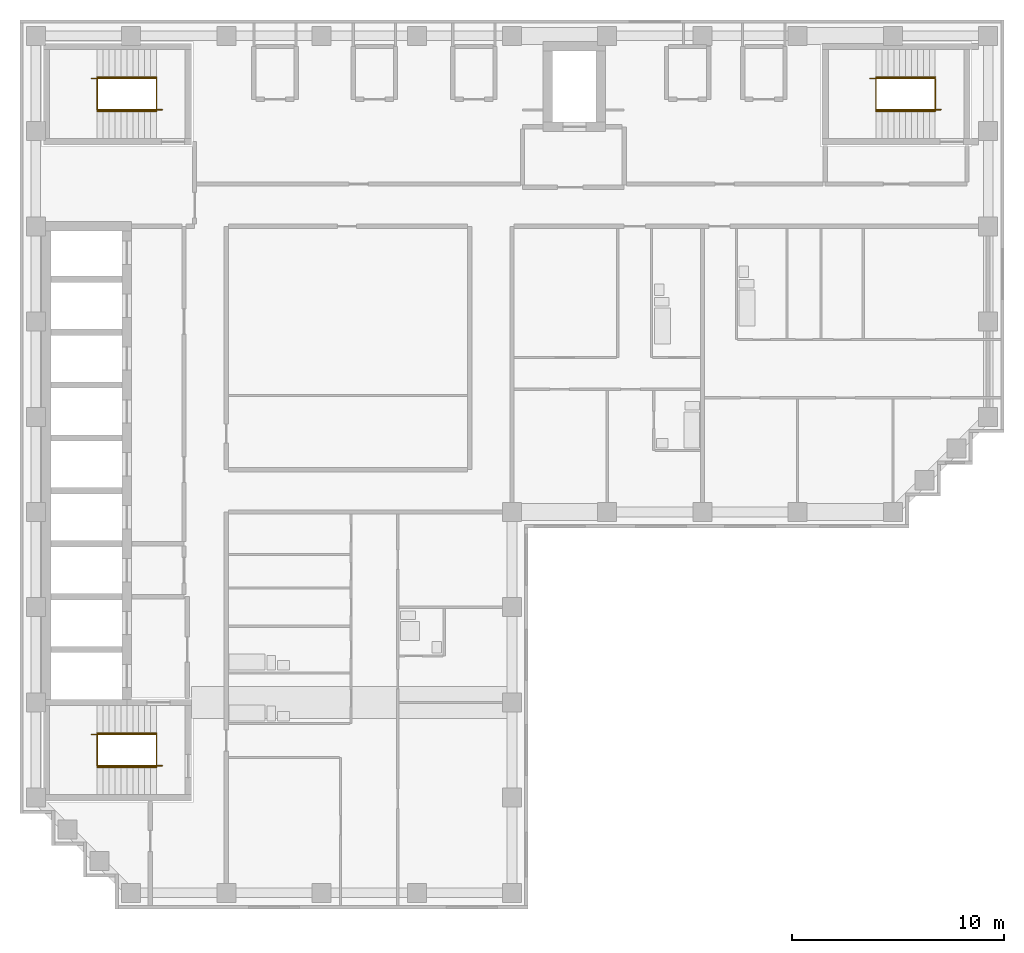
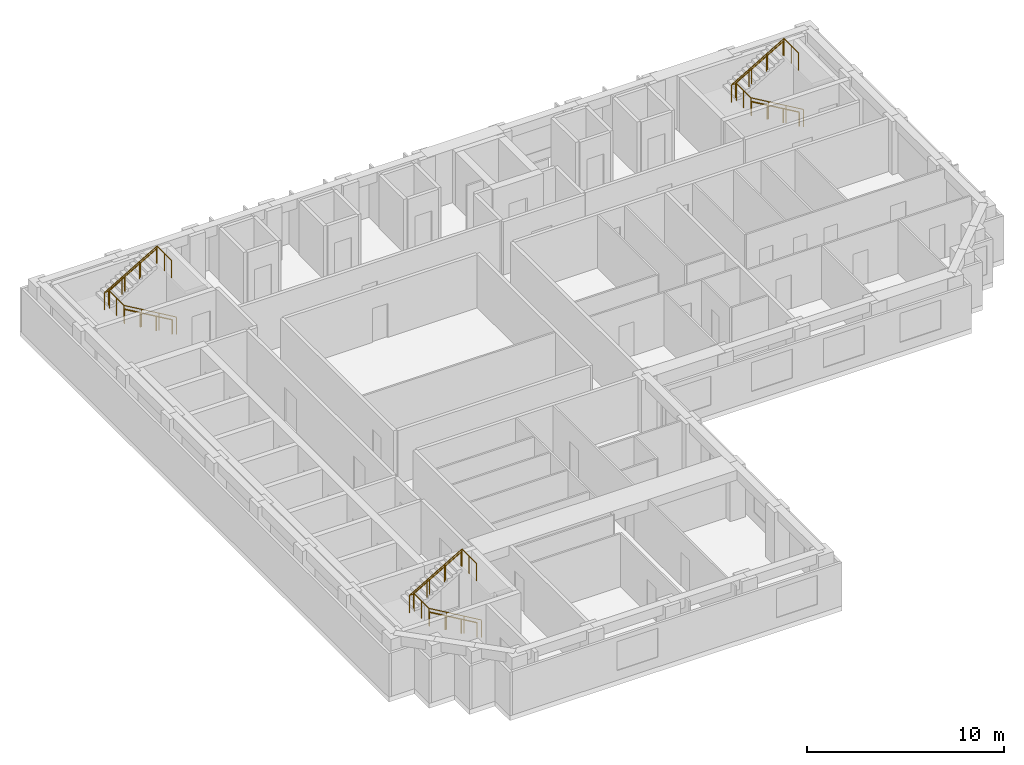
# One storey, part 7 of 8: 9 railings.
"""IFC4 building model written with IfcOpenShell, lengths in metres."""

from ifc_helpers import new_model, si_unit, direction, frame, origin, origin_2d, place, context, subcontext, project, spatial, circle, extrude, material, type_object, element, save


model = new_model("IFC4")

# Units and contexts
model_context = context("Model", 3, precision=1e-05, world=origin(), true_north=direction((0.0, 1.0)))
body_context = subcontext(model_context, "Body", "Model", "MODEL_VIEW")
ifc_project = project(units=[si_unit("LENGTHUNIT", "METRE"), si_unit("AREAUNIT", "SQUARE_METRE"), si_unit("VOLUMEUNIT", "CUBIC_METRE"), si_unit("PLANEANGLEUNIT", "RADIAN"), si_unit("MASSUNIT", "GRAM", prefix="KILO")], contexts=[model_context])

# Site, building, storey
site_placement = place(None, origin())
site = spatial("IfcSite", under=ifc_project, at=site_placement, CompositionType="ELEMENT")
building_placement = place(site_placement, origin())
building = spatial("IfcBuilding", under=site, at=building_placement, Name="Firuza Court", CompositionType="ELEMENT")
storey_placement = place(building_placement, frame((0.0, 0.0, 236.60009765625)))
storey = spatial("IfcBuildingStorey", under=building, at=storey_placement, Name="L61", CompositionType="ELEMENT", Elevation=236.60009765625)

# Railings
ifc_material_1 = material(Name="Steel S355", Category="steel")
railing_type_1 = type_object("IfcRailingType", Name="Handrail 900", PredefinedType="HANDRAIL", material=ifc_material_1)
railing_1_placement = place(storey_placement, frame((42.5, 54.949951171875, 0.16357421875)))
element("IfcRailing", 1, at=railing_1_placement, inside=storey, type_object=railing_type_1, Name="Handrail S1 flight 1", PredefinedType="HANDRAIL", context=body_context, shape_type="SweptSolid", body=[
    extrude(circle(Radius=0.02490234375, at=origin_2d()), frame((0.0, 0.0, 0.875), z_axis=(-0.863393664356, 0.0, 0.504530851732), x_axis=(0.0, -1.0, 0.0)), (0.0, 0.0, 1.0), 3.2431640625),
    extrude(circle(Radius=0.02001953125, at=origin_2d()), origin(), (0.0, 0.0, 1.0), 0.849853515625),
    extrude(circle(Radius=0.02001953125, at=origin_2d()), frame((-0.933349609375, 0.0, 0.54541015625)), (0.0, 0.0, 1.0), 0.849853515625),
    extrude(circle(Radius=0.02001953125, at=origin_2d()), frame((-1.86669921875, 0.0, 1.0908203125)), (0.0, 0.0, 1.0), 0.849853515625),
    extrude(circle(Radius=0.02001953125, at=origin_2d()), frame((-2.800048828125, 0.0, 1.63623046875)), (0.0, 0.0, 1.0), 0.849853515625),
])
railing_2_placement = place(storey_placement, frame((39.699951171875, 56.550048828125, 1.963623046875)))
element("IfcRailing", 2, at=railing_2_placement, inside=storey, type_object=railing_type_1, Name="Handrail S1 flight 2", PredefinedType="HANDRAIL", context=body_context, shape_type="SweptSolid", body=[
    extrude(circle(Radius=0.02490234375, at=origin_2d()), frame((0.0, 0.0, 0.875), z_axis=(0.863393664356, 0.0, 0.504530851732), x_axis=(0.0, 1.0, 0.0)), (0.0, 0.0, 1.0), 3.2431640625),
    extrude(circle(Radius=0.02001953125, at=origin_2d()), origin(), (0.0, 0.0, 1.0), 0.849853515625),
    extrude(circle(Radius=0.02001953125, at=origin_2d()), frame((0.933349609375, 0.0, 0.54541015625)), (0.0, 0.0, 1.0), 0.849853515625),
    extrude(circle(Radius=0.02001953125, at=origin_2d()), frame((1.86669921875, 0.0, 1.0908203125)), (0.0, 0.0, 1.0), 0.849853515625),
    extrude(circle(Radius=0.02001953125, at=origin_2d()), frame((2.800048828125, 0.0, 1.63623046875)), (0.0, 0.0, 1.0), 0.849853515625),
])
railing_3_placement = place(storey_placement, frame((5.699951171875, 23.949951171875, 0.16357421875)))
element("IfcRailing", 3, at=railing_3_placement, inside=storey, type_object=railing_type_1, Name="Handrail S2 flight 1", PredefinedType="HANDRAIL", context=body_context, shape_type="SweptSolid", body=[
    extrude(circle(Radius=0.02490234375, at=origin_2d()), frame((0.0, 0.0, 0.875), z_axis=(-0.863393664356, 0.0, 0.504530851732), x_axis=(0.0, -1.0, 0.0)), (0.0, 0.0, 1.0), 3.2431640625),
    extrude(circle(Radius=0.02001953125, at=origin_2d()), origin(), (0.0, 0.0, 1.0), 0.849853515625),
    extrude(circle(Radius=0.02001953125, at=origin_2d()), frame((-0.933349609375, 0.0, 0.54541015625)), (0.0, 0.0, 1.0), 0.849853515625),
    extrude(circle(Radius=0.02001953125, at=origin_2d()), frame((-1.86669921875, 0.0, 1.0908203125)), (0.0, 0.0, 1.0), 0.849853515625),
    extrude(circle(Radius=0.02001953125, at=origin_2d()), frame((-2.800048828125, 0.0, 1.63623046875)), (0.0, 0.0, 1.0), 0.849853515625),
])
railing_4_placement = place(storey_placement, frame((2.89990234375, 25.550048828125, 1.963623046875)))
element("IfcRailing", 4, at=railing_4_placement, inside=storey, type_object=railing_type_1, Name="Handrail S2 flight 2", PredefinedType="HANDRAIL", context=body_context, shape_type="SweptSolid", body=[
    extrude(circle(Radius=0.02490234375, at=origin_2d()), frame((0.0, 0.0, 0.875), z_axis=(0.863393664356, 0.0, 0.504530851732), x_axis=(0.0, 1.0, 0.0)), (0.0, 0.0, 1.0), 3.2431640625),
    extrude(circle(Radius=0.02001953125, at=origin_2d()), origin(), (0.0, 0.0, 1.0), 0.849853515625),
    extrude(circle(Radius=0.02001953125, at=origin_2d()), frame((0.933349609375, 0.0, 0.54541015625)), (0.0, 0.0, 1.0), 0.849853515625),
    extrude(circle(Radius=0.02001953125, at=origin_2d()), frame((1.86669921875, 0.0, 1.0908203125)), (0.0, 0.0, 1.0), 0.849853515625),
    extrude(circle(Radius=0.02001953125, at=origin_2d()), frame((2.800048828125, 0.0, 1.63623046875)), (0.0, 0.0, 1.0), 0.849853515625),
])
railing_5_placement = place(storey_placement, frame((5.699951171875, 54.949951171875, 0.16357421875)))
element("IfcRailing", 5, at=railing_5_placement, inside=storey, type_object=railing_type_1, Name="Handrail S3 flight 1", PredefinedType="HANDRAIL", context=body_context, shape_type="SweptSolid", body=[
    extrude(circle(Radius=0.02490234375, at=origin_2d()), frame((0.0, 0.0, 0.875), z_axis=(-0.863393664356, 0.0, 0.504530851732), x_axis=(0.0, -1.0, 0.0)), (0.0, 0.0, 1.0), 3.2431640625),
    extrude(circle(Radius=0.02001953125, at=origin_2d()), origin(), (0.0, 0.0, 1.0), 0.849853515625),
    extrude(circle(Radius=0.02001953125, at=origin_2d()), frame((-0.933349609375, 0.0, 0.54541015625)), (0.0, 0.0, 1.0), 0.849853515625),
    extrude(circle(Radius=0.02001953125, at=origin_2d()), frame((-1.86669921875, 0.0, 1.0908203125)), (0.0, 0.0, 1.0), 0.849853515625),
    extrude(circle(Radius=0.02001953125, at=origin_2d()), frame((-2.800048828125, 0.0, 1.63623046875)), (0.0, 0.0, 1.0), 0.849853515625),
])
railing_6_placement = place(storey_placement, frame((2.89990234375, 56.550048828125, 1.963623046875)))
element("IfcRailing", 6, at=railing_6_placement, inside=storey, type_object=railing_type_1, Name="Handrail S3 flight 2", PredefinedType="HANDRAIL", context=body_context, shape_type="SweptSolid", body=[
    extrude(circle(Radius=0.02490234375, at=origin_2d()), frame((0.0, 0.0, 0.875), z_axis=(0.863393664356, 0.0, 0.504530851732), x_axis=(0.0, 1.0, 0.0)), (0.0, 0.0, 1.0), 3.2431640625),
    extrude(circle(Radius=0.02001953125, at=origin_2d()), origin(), (0.0, 0.0, 1.0), 0.849853515625),
    extrude(circle(Radius=0.02001953125, at=origin_2d()), frame((0.933349609375, 0.0, 0.54541015625)), (0.0, 0.0, 1.0), 0.849853515625),
    extrude(circle(Radius=0.02001953125, at=origin_2d()), frame((1.86669921875, 0.0, 1.0908203125)), (0.0, 0.0, 1.0), 0.849853515625),
    extrude(circle(Radius=0.02001953125, at=origin_2d()), frame((2.800048828125, 0.0, 1.63623046875)), (0.0, 0.0, 1.0), 0.849853515625),
])
ifc_material_2 = material(Name="Steel S355", Category="steel")
railing_type_2 = type_object("IfcRailingType", Name="Stair guard 1100", PredefinedType="GUARDRAIL", material=ifc_material_2)
railing_7_placement = place(storey_placement, frame((42.780029296875, 55.010009765625, 0.0)))
element("IfcRailing", 7, at=railing_7_placement, inside=storey, type_object=railing_type_2, Name="Stair well guard S1", PredefinedType="GUARDRAIL", context=body_context, shape_type="SweptSolid", body=[
    extrude(circle(Radius=0.02490234375, at=origin_2d()), frame((0.0, 0.0, 1.0751953125), z_axis=(-0.863401368682, 0.0, 0.504517667242), x_axis=(0.0, -1.0, 0.0)), (0.0, 0.0, 1.0), 3.5673828125),
    extrude(circle(Radius=0.02490234375, at=origin_2d()), frame((-3.080078125, 0.0, 2.875), z_axis=(0.0, 1.0, 0.0), x_axis=(-1.0, 0.0, 0.0)), (0.0, 0.0, 1.0), 1.47998046875),
    extrude(circle(Radius=0.02490234375, at=origin_2d()), frame((-3.080078125, 1.47998046875, 2.875), z_axis=(-1.0, 0.0, 0.0), x_axis=(0.0, -1.0, 0.0)), (0.0, 0.0, 1.0), 0.280029296875),
    extrude(circle(Radius=0.02490234375, at=origin_2d()), frame((-3.360107421875, 1.47998046875, 2.875), z_axis=(0.863371556955, 0.0, 0.504568681787), x_axis=(0.0, 1.0, 0.0)), (0.0, 0.0, 1.0), 3.5673828125),
    extrude(circle(Radius=0.02490234375, at=origin_2d()), frame((-0.280029296875, 1.47998046875, 4.6748046875), z_axis=(0.0, -1.0, 0.0), x_axis=(1.0, 0.0, 0.0)), (0.0, 0.0, 1.0), 1.47998046875),
    extrude(circle(Radius=0.02490234375, at=origin_2d()), origin(), (0.0, 0.0, 1.0), 1.050048828125),
    extrude(circle(Radius=0.02490234375, at=origin_2d()), frame((-1.026611328125, 0.0, 0.599853515625)), (0.0, 0.0, 1.0), 1.050048828125),
    extrude(circle(Radius=0.02490234375, at=origin_2d()), frame((-2.053466796875, 0.0, 1.199951171875)), (0.0, 0.0, 1.0), 1.050048828125),
    extrude(circle(Radius=0.02490234375, at=origin_2d()), frame((-3.080078125, 0.0, 1.7998046875)), (0.0, 0.0, 1.0), 1.050048828125),
    extrude(circle(Radius=0.02490234375, at=origin_2d()), frame((-3.080078125, 0.739990234375, 1.7998046875)), (0.0, 0.0, 1.0), 1.050048828125),
    extrude(circle(Radius=0.02490234375, at=origin_2d()), frame((-3.080078125, 1.47998046875, 1.7998046875)), (0.0, 0.0, 1.0), 1.050048828125),
    extrude(circle(Radius=0.02490234375, at=origin_2d()), frame((-3.360107421875, 1.47998046875, 1.7998046875)), (0.0, 0.0, 1.0), 1.050048828125),
    extrude(circle(Radius=0.02490234375, at=origin_2d()), frame((-2.33349609375, 1.47998046875, 2.39990234375)), (0.0, 0.0, 1.0), 1.050048828125),
    extrude(circle(Radius=0.02490234375, at=origin_2d()), frame((-1.306640625, 1.47998046875, 2.999755859375)), (0.0, 0.0, 1.0), 1.050048828125),
    extrude(circle(Radius=0.02490234375, at=origin_2d()), frame((-0.280029296875, 1.47998046875, 3.599853515625)), (0.0, 0.0, 1.0), 1.050048828125),
    extrude(circle(Radius=0.02490234375, at=origin_2d()), frame((-0.280029296875, 0.739990234375, 3.599853515625)), (0.0, 0.0, 1.0), 1.050048828125),
    extrude(circle(Radius=0.02490234375, at=origin_2d()), frame((-0.280029296875, 0.0, 3.599853515625)), (0.0, 0.0, 1.0), 1.050048828125),
])
railing_8_placement = place(storey_placement, frame((5.97998046875, 24.010009765625, 0.0)))
element("IfcRailing", 8, at=railing_8_placement, inside=storey, type_object=railing_type_2, Name="Stair well guard S2", PredefinedType="GUARDRAIL", context=body_context, shape_type="SweptSolid", body=[
    extrude(circle(Radius=0.02490234375, at=origin_2d()), frame((0.0, 0.0, 1.0751953125), z_axis=(-0.863401368682, 0.0, 0.504517667242), x_axis=(0.0, -1.0, 0.0)), (0.0, 0.0, 1.0), 3.5673828125),
    extrude(circle(Radius=0.02490234375, at=origin_2d()), frame((-3.080078125, 0.0, 2.875), z_axis=(0.0, 1.0, 0.0), x_axis=(-1.0, 0.0, 0.0)), (0.0, 0.0, 1.0), 1.47998046875),
    extrude(circle(Radius=0.02490234375, at=origin_2d()), frame((-3.080078125, 1.47998046875, 2.875), z_axis=(-1.0, 0.0, 0.0), x_axis=(0.0, -1.0, 0.0)), (0.0, 0.0, 1.0), 0.27978515625),
    extrude(circle(Radius=0.02490234375, at=origin_2d()), frame((-3.35986328125, 1.47998046875, 2.875), z_axis=(0.863354132664, 0.0, 0.504598495452), x_axis=(0.0, 1.0, 0.0)), (0.0, 0.0, 1.0), 3.5673828125),
    extrude(circle(Radius=0.02490234375, at=origin_2d()), frame((-0.280029296875, 1.47998046875, 4.6748046875), z_axis=(0.0, -1.0, 0.0), x_axis=(1.0, 0.0, 0.0)), (0.0, 0.0, 1.0), 1.47998046875),
    extrude(circle(Radius=0.02490234375, at=origin_2d()), origin(), (0.0, 0.0, 1.0), 1.050048828125),
    extrude(circle(Radius=0.02490234375, at=origin_2d()), frame((-1.026611328125, 0.0, 0.599853515625)), (0.0, 0.0, 1.0), 1.050048828125),
    extrude(circle(Radius=0.02490234375, at=origin_2d()), frame((-2.053466796875, 0.0, 1.199951171875)), (0.0, 0.0, 1.0), 1.050048828125),
    extrude(circle(Radius=0.02490234375, at=origin_2d()), frame((-3.080078125, 0.0, 1.7998046875)), (0.0, 0.0, 1.0), 1.050048828125),
    extrude(circle(Radius=0.02490234375, at=origin_2d()), frame((-3.080078125, 0.739990234375, 1.7998046875)), (0.0, 0.0, 1.0), 1.050048828125),
    extrude(circle(Radius=0.02490234375, at=origin_2d()), frame((-3.080078125, 1.47998046875, 1.7998046875)), (0.0, 0.0, 1.0), 1.050048828125),
    extrude(circle(Radius=0.02490234375, at=origin_2d()), frame((-3.35986328125, 1.47998046875, 1.7998046875)), (0.0, 0.0, 1.0), 1.050048828125),
    extrude(circle(Radius=0.02490234375, at=origin_2d()), frame((-2.333251953125, 1.47998046875, 2.39990234375)), (0.0, 0.0, 1.0), 1.050048828125),
    extrude(circle(Radius=0.02490234375, at=origin_2d()), frame((-1.306640625, 1.47998046875, 2.999755859375)), (0.0, 0.0, 1.0), 1.050048828125),
    extrude(circle(Radius=0.02490234375, at=origin_2d()), frame((-0.280029296875, 1.47998046875, 3.599853515625)), (0.0, 0.0, 1.0), 1.050048828125),
    extrude(circle(Radius=0.02490234375, at=origin_2d()), frame((-0.280029296875, 0.739990234375, 3.599853515625)), (0.0, 0.0, 1.0), 1.050048828125),
    extrude(circle(Radius=0.02490234375, at=origin_2d()), frame((-0.280029296875, 0.0, 3.599853515625)), (0.0, 0.0, 1.0), 1.050048828125),
])
railing_9_placement = place(storey_placement, frame((5.97998046875, 55.010009765625, 0.0)))
element("IfcRailing", 9, at=railing_9_placement, inside=storey, type_object=railing_type_2, Name="Stair well guard S3", PredefinedType="GUARDRAIL", context=body_context, shape_type="SweptSolid", body=[
    extrude(circle(Radius=0.02490234375, at=origin_2d()), frame((0.0, 0.0, 1.0751953125), z_axis=(-0.863401368682, 0.0, 0.504517667242), x_axis=(0.0, -1.0, 0.0)), (0.0, 0.0, 1.0), 3.5673828125),
    extrude(circle(Radius=0.02490234375, at=origin_2d()), frame((-3.080078125, 0.0, 2.875), z_axis=(0.0, 1.0, 0.0), x_axis=(-1.0, 0.0, 0.0)), (0.0, 0.0, 1.0), 1.47998046875),
    extrude(circle(Radius=0.02490234375, at=origin_2d()), frame((-3.080078125, 1.47998046875, 2.875), z_axis=(-1.0, 0.0, 0.0), x_axis=(0.0, -1.0, 0.0)), (0.0, 0.0, 1.0), 0.27978515625),
    extrude(circle(Radius=0.02490234375, at=origin_2d()), frame((-3.35986328125, 1.47998046875, 2.875), z_axis=(0.863354132664, 0.0, 0.504598495452), x_axis=(0.0, 1.0, 0.0)), (0.0, 0.0, 1.0), 3.5673828125),
    extrude(circle(Radius=0.02490234375, at=origin_2d()), frame((-0.280029296875, 1.47998046875, 4.6748046875), z_axis=(0.0, -1.0, 0.0), x_axis=(1.0, 0.0, 0.0)), (0.0, 0.0, 1.0), 1.47998046875),
    extrude(circle(Radius=0.02490234375, at=origin_2d()), origin(), (0.0, 0.0, 1.0), 1.050048828125),
    extrude(circle(Radius=0.02490234375, at=origin_2d()), frame((-1.026611328125, 0.0, 0.599853515625)), (0.0, 0.0, 1.0), 1.050048828125),
    extrude(circle(Radius=0.02490234375, at=origin_2d()), frame((-2.053466796875, 0.0, 1.199951171875)), (0.0, 0.0, 1.0), 1.050048828125),
    extrude(circle(Radius=0.02490234375, at=origin_2d()), frame((-3.080078125, 0.0, 1.7998046875)), (0.0, 0.0, 1.0), 1.050048828125),
    extrude(circle(Radius=0.02490234375, at=origin_2d()), frame((-3.080078125, 0.739990234375, 1.7998046875)), (0.0, 0.0, 1.0), 1.050048828125),
    extrude(circle(Radius=0.02490234375, at=origin_2d()), frame((-3.080078125, 1.47998046875, 1.7998046875)), (0.0, 0.0, 1.0), 1.050048828125),
    extrude(circle(Radius=0.02490234375, at=origin_2d()), frame((-3.35986328125, 1.47998046875, 1.7998046875)), (0.0, 0.0, 1.0), 1.050048828125),
    extrude(circle(Radius=0.02490234375, at=origin_2d()), frame((-2.333251953125, 1.47998046875, 2.39990234375)), (0.0, 0.0, 1.0), 1.050048828125),
    extrude(circle(Radius=0.02490234375, at=origin_2d()), frame((-1.306640625, 1.47998046875, 2.999755859375)), (0.0, 0.0, 1.0), 1.050048828125),
    extrude(circle(Radius=0.02490234375, at=origin_2d()), frame((-0.280029296875, 1.47998046875, 3.599853515625)), (0.0, 0.0, 1.0), 1.050048828125),
    extrude(circle(Radius=0.02490234375, at=origin_2d()), frame((-0.280029296875, 0.739990234375, 3.599853515625)), (0.0, 0.0, 1.0), 1.050048828125),
    extrude(circle(Radius=0.02490234375, at=origin_2d()), frame((-0.280029296875, 0.0, 3.599853515625)), (0.0, 0.0, 1.0), 1.050048828125),
])

save(model, "model.ifc")
